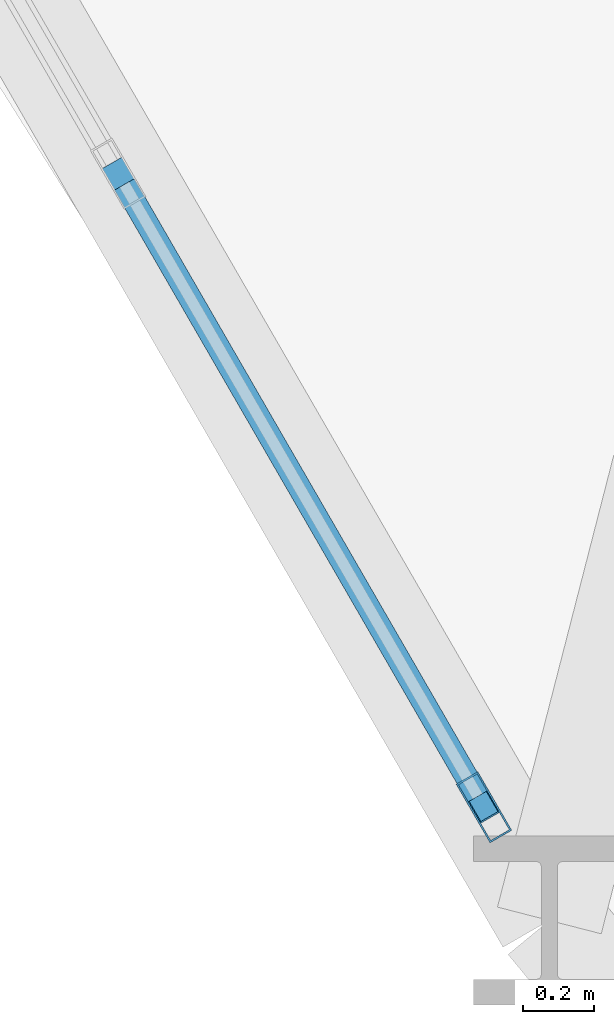
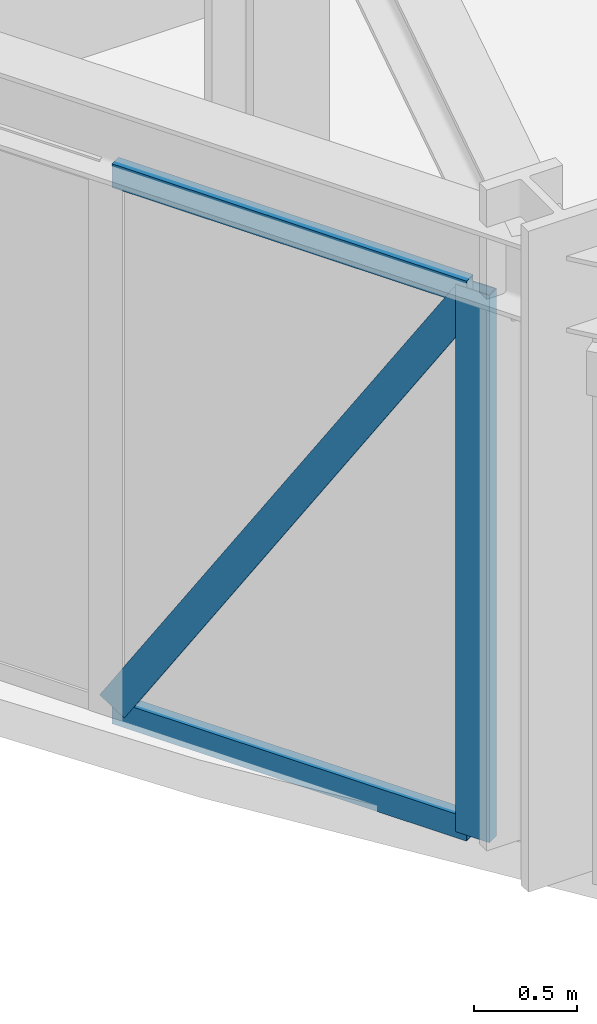
# One storey, part 2 of 20: 4 members, 1 element without a shape of its own.
"""IFC4 building model written with IfcOpenShell, lengths in metres."""

from ifc_helpers import new_model, si_unit, derived_unit, direction, frame, origin, origin_2d, place, context, subcontext, project, spatial, hollow_rectangle, extrude, source, transform, mapped, material, layer, layer_set, material_profile, profile_set, type_object, element, aggregate, save


model = new_model("IFC4")

# Units and contexts
model_context = context("Model", 3, precision=1e-05, world=origin(), true_north=direction((0.0, 1.0)))
body_context = subcontext(model_context, "Body", "Model", "MODEL_VIEW")
ifc_project = project(units=[si_unit("LENGTHUNIT", "METRE"), si_unit("AREAUNIT", "SQUARE_METRE"), si_unit("VOLUMEUNIT", "CUBIC_METRE"), si_unit("PLANEANGLEUNIT", "RADIAN"), si_unit("MASSUNIT", "GRAM", prefix="KILO"), derived_unit("THERMALTRANSMITTANCEUNIT", [(si_unit("POWERUNIT", "WATT"), 1), (si_unit("LENGTHUNIT", "METRE"), -2), (si_unit("THERMODYNAMICTEMPERATUREUNIT", "KELVIN"), -1)])], contexts=[model_context])

# Site, building, storey
site_placement = place(None, origin())
site = spatial("IfcSite", under=ifc_project, at=site_placement, CompositionType="ELEMENT")
building_placement = place(site_placement, origin())
building = spatial("IfcBuilding", under=site, at=building_placement, Name="Korsvarv Bourse and Concert Hall", CompositionType="ELEMENT")
storey_placement = place(building_placement, frame((0.0, 0.0, 67.800048828125)))
storey = spatial("IfcBuildingStorey", under=building, at=storey_placement, Name="L16", CompositionType="ELEMENT", Elevation=67.800048828125)

# Curtain wall, members
ifc_material_1 = material(Name="Anodised aluminium and triple low-E glazing", Category="glass")
ifc_layer = layer(ifc_material_1, 0.219970703125)
ifc_layer_set = layer_set([ifc_layer], Name="Anodised aluminium and triple low-E glazing")
curtain_wall_type = type_object("IfcCurtainWallType", Name="CW-SYS-1", PredefinedType="NOTDEFINED", material=ifc_layer_set)
curtain_wall_placement = place(storey_placement, origin())
curtain_wall = element("IfcCurtainWall", 1, at=curtain_wall_placement, inside=storey, type_object=curtain_wall_type, Name="L16 CW1 curtain wall CW-L16-F07", PredefinedType="NOTDEFINED")
ifc_material_2 = material(Name="Extruded aluminium EN AW-6063 T66", Category="aluminium")
ifc_material_profile_1 = material_profile(ifc_material_2, hollow_rectangle(XDim=0.070068359375, YDim=0.18994140625, WallThickness=0.0048828125, at=origin_2d()), Name="ALU-M 70x190")
ifc_profile_set_1 = profile_set([ifc_material_profile_1], Name="Extruded aluminium EN AW-6063 T66")
member_type_1 = type_object("IfcMemberType", Name="CWM-190", PredefinedType="MULLION", material=ifc_profile_set_1)
shared_shape_1 = source(origin(), body_context, "Body", "SweptSolid", [
    extrude(hollow_rectangle(XDim=0.070068359375, YDim=0.18994140625, WallThickness=0.0048828125, at=origin_2d()), origin(), (0.0, 0.0, 1.0), 3.22998046875),
])
member_1_placement = place(storey_placement, frame((26.183349609375, 19.52392578125, 0.0), z_axis=(0.0, 0.0, 1.0), x_axis=(0.86602191759, 0.500006038217, 0.0)))
member_1 = element("IfcMember", 2, at=member_1_placement, type_object=member_type_1, Name="CW1 mullion 8", PredefinedType="MULLION", context=body_context, shape_type="MappedRepresentation", body=[
    mapped(shared_shape_1, transform((0.0, 0.0, 0.0), scale=1.0)),
])
ifc_material_profile_2 = material_profile(ifc_material_2, hollow_rectangle(XDim=0.06494140625, YDim=0.139892578125, WallThickness=0.00390625, at=origin_2d()), Name="ALU-T 65x140")
ifc_profile_set_2 = profile_set([ifc_material_profile_2], Name="Extruded aluminium EN AW-6063 T66")
member_type_2 = type_object("IfcMemberType", Name="CWT-140", PredefinedType="USERDEFINED", material=ifc_profile_set_2)
shared_shape_2 = source(origin(), body_context, "Body", "SweptSolid", [
    extrude(hollow_rectangle(XDim=0.06494140625, YDim=0.139892578125, WallThickness=0.00390625, at=origin_2d()), origin(), (0.0, 0.0, 1.0), 1.979248046875),
])
member_2_placement = place(storey_placement, frame((25.17626953125, 21.2685546875, 0.032470703125), z_axis=(0.500039200885, -0.86600276996, 0.0), x_axis=(0.86600276996, 0.500039200885, 0.0)))
member_2 = element("IfcMember", 3, at=member_2_placement, type_object=member_type_2, Name="CW1 transom 7.1", ObjectType="TRANSOM", PredefinedType="USERDEFINED", context=body_context, shape_type="MappedRepresentation", body=[
    mapped(shared_shape_2, transform((0.0, 0.0, 0.0), scale=1.0)),
])
member_3_placement = place(storey_placement, frame((25.17626953125, 21.2685546875, 3.197509765625), z_axis=(0.500039200885, -0.86600276996, 0.0), x_axis=(0.86600276996, 0.500039200885, 0.0)))
member_3 = element("IfcMember", 4, at=member_3_placement, type_object=member_type_2, Name="CW1 transom 7.2", ObjectType="TRANSOM", PredefinedType="USERDEFINED", context=body_context, shape_type="MappedRepresentation", body=[
    mapped(shared_shape_2, transform((0.0, 0.0, 0.0), scale=1.0)),
])
ifc_material_profile_3 = material_profile(ifc_material_2, hollow_rectangle(XDim=0.06494140625, YDim=0.1650390625, WallThickness=0.0048828125, at=origin_2d()), Name="ALU-M 65x165")
ifc_profile_set_3 = profile_set([ifc_material_profile_3], Name="Extruded aluminium EN AW-6063 T66")
member_type_3 = type_object("IfcMemberType", Name="CWM-165", PredefinedType="MULLION", material=ifc_profile_set_3)
shared_shape_3 = source(origin(), body_context, "Body", "SweptSolid", [
    extrude(hollow_rectangle(XDim=0.06494140625, YDim=0.1650390625, WallThickness=0.0048828125, at=origin_2d()), origin(), (0.0, 0.0, 1.0), 3.677978515625),
])
member_4_placement = place(storey_placement, frame((25.17626953125, 21.2685546875, 0.06494140625), z_axis=(0.269092065497, -0.466032410423, 0.842854229818), x_axis=(0.86600276996, 0.500039200885, 0.0)))
member_4 = element("IfcMember", 5, at=member_4_placement, type_object=member_type_3, Name="CW1 diagonal mullion 7", PredefinedType="MULLION", context=body_context, shape_type="MappedRepresentation", body=[
    mapped(shared_shape_3, transform((0.0, 0.0, 0.0), scale=1.0)),
])
aggregate(curtain_wall, [member_1, member_2, member_3, member_4])

save(model, "model.ifc")
